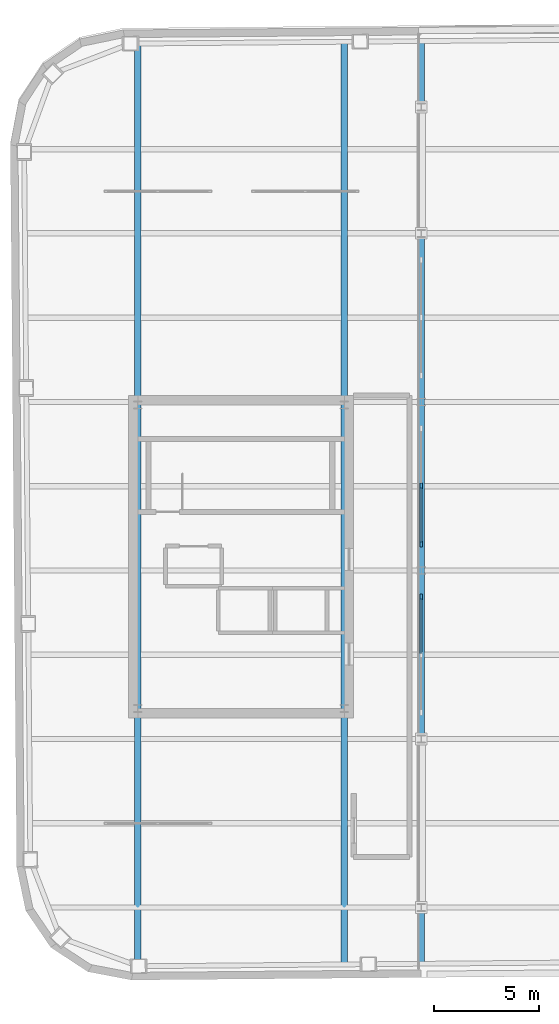
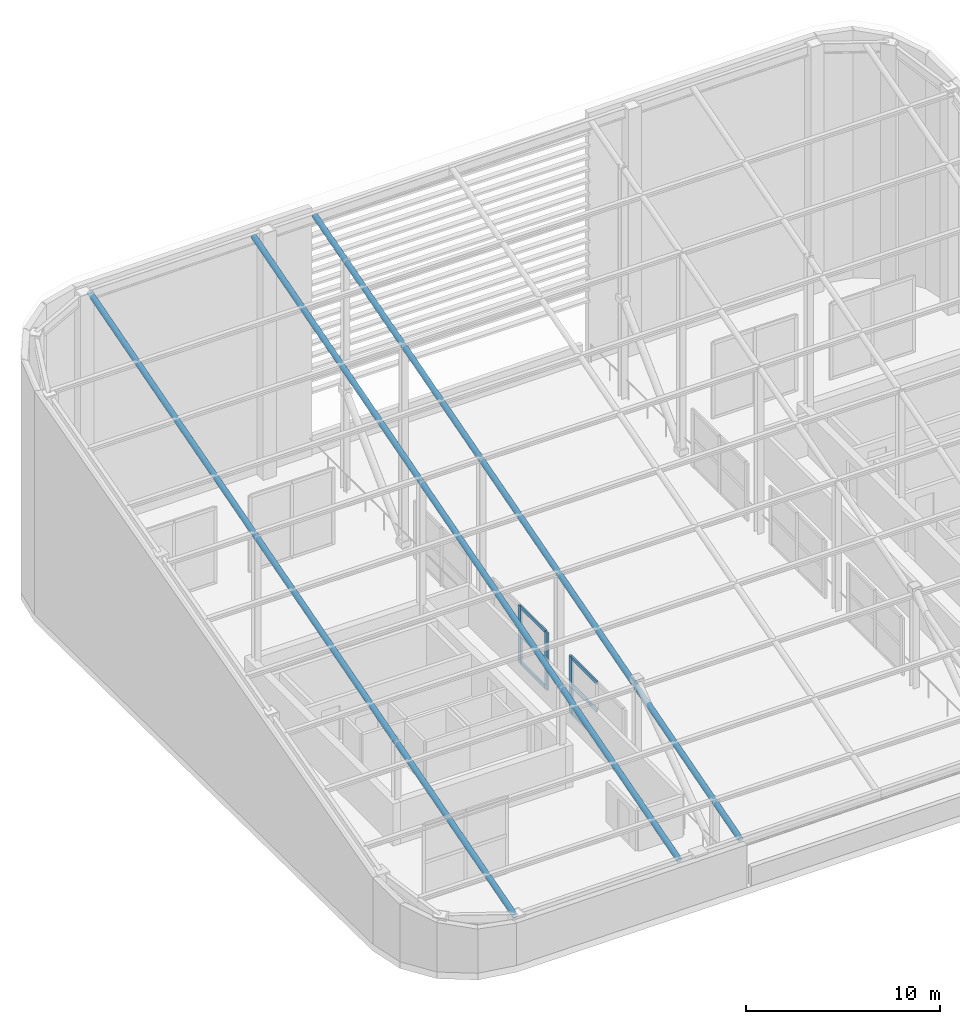
# One storey, part 7 of 17: 12 members, 2 elements without a shape of their own.
"""IFC4 building model written with IfcOpenShell, lengths in metres."""

from ifc_helpers import new_model, si_unit, direction, frame, origin, origin_2d, place, context, subcontext, project, spatial, rectangle, hollow_circle, extrude, material, material_profile, profile_set, type_object, element, aggregate, save


model = new_model("IFC4")

# Units and contexts
model_context = context("Model", 3, precision=1e-05, world=origin(), true_north=direction((0.0, 1.0)))
body_context = subcontext(model_context, "Body", "Model", "MODEL_VIEW")
ifc_project = project(units=[si_unit("LENGTHUNIT", "METRE"), si_unit("AREAUNIT", "SQUARE_METRE"), si_unit("VOLUMEUNIT", "CUBIC_METRE"), si_unit("PLANEANGLEUNIT", "RADIAN"), si_unit("MASSUNIT", "GRAM", prefix="KILO")], contexts=[model_context])

# Site, building, storey
site_placement = place(None, origin())
site = spatial("IfcSite", under=ifc_project, at=site_placement, CompositionType="ELEMENT")
building_placement = place(site_placement, origin())
building = spatial("IfcBuilding", under=site, at=building_placement, Name="Kolvaren Arena Tower", CompositionType="ELEMENT")
storey_placement = place(building_placement, frame((0.0, 0.0, 322.0)))
storey = spatial("IfcBuildingStorey", under=building, at=storey_placement, Name="Roof Crown", CompositionType="ELEMENT", Elevation=322.0)

# Members
ifc_material_1 = material(Name="Steel CSA G40.21 350WT", Category="steel")
ifc_material_profile_1 = material_profile(ifc_material_1, hollow_circle(Radius=0.162109375, WallThickness=0.01611328125, at=origin_2d()), Name="CHS 324x16")
ifc_profile_set_1 = profile_set([ifc_material_profile_1], Name="Steel CSA G40.21 350WT")
member_type_1 = type_object("IfcMemberType", Name="CR-BRACE1", PredefinedType="RAFTER", material=ifc_profile_set_1)
member_1_placement = place(storey_placement, frame((14.550048828125, 7.225830078125, 2.6171875), z_axis=(0.0, 0.960879215018, 0.276967749289), x_axis=(-1.0, 0.0, 0.0)))
element("IfcMember", 1, at=member_1_placement, inside=storey, type_object=member_type_1, Name="Sloped Crown Roof Rafter 01", PredefinedType="RAFTER", context=body_context, shape_type="SweptSolid", body=[
    extrude(hollow_circle(Radius=0.162109375, WallThickness=0.01611328125, at=origin_2d()), origin(), (0.0, 0.0, 1.0), 45.56884765625),
])
member_2_placement = place(storey_placement, frame((24.35009765625, 7.295654296875, 2.63720703125), z_axis=(0.0, 0.960877002341, 0.276975425574), x_axis=(-1.0, 0.0, 0.0)))
element("IfcMember", 2, at=member_2_placement, inside=storey, type_object=member_type_1, Name="Sloped Crown Roof Rafter 02", PredefinedType="RAFTER", context=body_context, shape_type="SweptSolid", body=[
    extrude(hollow_circle(Radius=0.162109375, WallThickness=0.01611328125, at=origin_2d()), origin(), (0.0, 0.0, 1.0), 45.585205078125),
])
member_3_placement = place(storey_placement, frame((28.0, 7.32763671875, 2.646484375), z_axis=(0.0, 0.960878016839, 0.276971906075), x_axis=(-1.0, 0.0, 0.0)))
element("IfcMember", 3, at=member_3_placement, inside=storey, type_object=member_type_1, Name="Sloped Crown Roof Rafter 03", PredefinedType="RAFTER", context=body_context, shape_type="SweptSolid", body=[
    extrude(hollow_circle(Radius=0.162109375, WallThickness=0.01611328125, at=origin_2d()), origin(), (0.0, 0.0, 1.0), 45.5849609375),
])

# Curtain wall, member
ifc_material_2 = material(Name="Anodised aluminium unitised curtain wall", Category="aluminium")
curtain_wall_type = type_object("IfcCurtainWallType", Name="CW-SYS-04", PredefinedType="USERDEFINED", material=ifc_material_2)
curtain_wall_1_placement = place(storey_placement, origin())
curtain_wall_1 = element("IfcCurtainWall", 4, at=curtain_wall_1_placement, inside=storey, type_object=curtain_wall_type, Name="Wind-Portal Throat Acoustic Curtain Screen (Roof Crown)", ObjectType="ACOUSTIC LOUVRE SCREEN", PredefinedType="USERDEFINED")
ifc_material_3 = material(Name="Anodised aluminium 6063-T6", Category="aluminium")
ifc_material_profile_2 = material_profile(ifc_material_3, rectangle(XDim=0.1201171875, YDim=0.280029296875, at=origin_2d()), Name="ALU-120x280")
ifc_profile_set_2 = profile_set([ifc_material_profile_2], Name="Anodised aluminium 6063-T6")
member_type_2 = type_object("IfcMemberType", Name="CWM-PORT", PredefinedType="MULLION", material=ifc_profile_set_2)
member_4_placement = place(storey_placement, frame((28.0, 24.739990234375, 0.0), z_axis=(0.0, 0.0, 1.0), x_axis=(-1.0, 0.0, 0.0)))
member_4 = element("IfcMember", 5, at=member_4_placement, type_object=member_type_2, Name="CW4 mullion 3", PredefinedType="MULLION", context=body_context, shape_type="SweptSolid", body=[
    extrude(rectangle(XDim=0.1201171875, YDim=0.280029296875, at=origin_2d()), origin(), (0.0, 0.0, 1.0), 3.60009765625),
])

# Curtain wall, members
curtain_wall_2_placement = place(storey_placement, origin())
curtain_wall_2 = element("IfcCurtainWall", 6, at=curtain_wall_2_placement, inside=storey, type_object=curtain_wall_type, Name="Wind-Portal Throat Acoustic Curtain Screen (Roof Crown)", ObjectType="ACOUSTIC LOUVRE SCREEN", PredefinedType="USERDEFINED")
member_5_placement = place(storey_placement, frame((28.0, 27.260009765625, 0.0), z_axis=(0.0, 0.0, 1.0), x_axis=(-1.0, 0.0, 0.0)))
member_5 = element("IfcMember", 7, at=member_5_placement, type_object=member_type_2, Name="CW4 mullion 1", PredefinedType="MULLION", context=body_context, shape_type="SweptSolid", body=[
    extrude(rectangle(XDim=0.1201171875, YDim=0.280029296875, at=origin_2d()), origin(), (0.0, 0.0, 1.0), 3.60009765625),
])
member_6_placement = place(storey_placement, frame((28.0, 30.0, 0.0), z_axis=(0.0, 0.0, 1.0), x_axis=(-1.0, 0.0, 0.0)))
member_6 = element("IfcMember", 8, at=member_6_placement, type_object=member_type_2, Name="CW4 mullion 2", PredefinedType="MULLION", context=body_context, shape_type="SweptSolid", body=[
    extrude(rectangle(XDim=0.1201171875, YDim=0.280029296875, at=origin_2d()), origin(), (0.0, 0.0, 1.0), 3.60009765625),
])

# Member
ifc_material_profile_3 = material_profile(ifc_material_3, rectangle(XDim=0.10009765625, YDim=0.199951171875, at=origin_2d()), Name="ALU-100x200")
ifc_profile_set_3 = profile_set([ifc_material_profile_3], Name="Anodised aluminium 6063-T6")
member_type_3 = type_object("IfcMemberType", Name="CWT-HVY", PredefinedType="USERDEFINED", material=ifc_profile_set_3)
member_7_placement = place(storey_placement, frame((28.0, 22.06005859375, 0.050048828125), z_axis=(0.0, 1.0, 0.0), x_axis=(-1.0, 0.0, 0.0)))
member_7 = element("IfcMember", 9, at=member_7_placement, type_object=member_type_3, Name="CW4 transom 2.1", ObjectType="TRANSOM", PredefinedType="USERDEFINED", context=body_context, shape_type="SweptSolid", body=[
    extrude(rectangle(XDim=0.10009765625, YDim=0.199951171875, at=origin_2d()), origin(), (0.0, 0.0, 1.0), 2.619873046875),
])

member_8_placement = place(storey_placement, frame((28.0, 22.06005859375, 1.800048828125), z_axis=(0.0, 1.0, 0.0), x_axis=(-1.0, 0.0, 0.0)))
member_8 = element("IfcMember", 10, at=member_8_placement, type_object=member_type_3, Name="CW4 transom 2.2", ObjectType="TRANSOM", PredefinedType="USERDEFINED", context=body_context, shape_type="SweptSolid", body=[
    extrude(rectangle(XDim=0.10009765625, YDim=0.199951171875, at=origin_2d()), origin(), (0.0, 0.0, 1.0), 2.619873046875),
])

member_9_placement = place(storey_placement, frame((28.0, 22.06005859375, 3.550048828125), z_axis=(0.0, 1.0, 0.0), x_axis=(-1.0, 0.0, 0.0)))
member_9 = element("IfcMember", 11, at=member_9_placement, type_object=member_type_3, Name="CW4 transom 2.3", ObjectType="TRANSOM", PredefinedType="USERDEFINED", context=body_context, shape_type="SweptSolid", body=[
    extrude(rectangle(XDim=0.10009765625, YDim=0.199951171875, at=origin_2d()), origin(), (0.0, 0.0, 1.0), 2.619873046875),
])

aggregate(curtain_wall_1, [member_4, member_7, member_8, member_9])

member_10_placement = place(storey_placement, frame((28.0, 27.320068359375, 0.050048828125), z_axis=(0.0, 1.0, 0.0), x_axis=(-1.0, 0.0, 0.0)))
member_10 = element("IfcMember", 12, at=member_10_placement, type_object=member_type_3, Name="CW4 transom 1.1", ObjectType="TRANSOM", PredefinedType="USERDEFINED", context=body_context, shape_type="SweptSolid", body=[
    extrude(rectangle(XDim=0.10009765625, YDim=0.199951171875, at=origin_2d()), origin(), (0.0, 0.0, 1.0), 2.619873046875),
])

member_11_placement = place(storey_placement, frame((28.0, 27.320068359375, 1.800048828125), z_axis=(0.0, 1.0, 0.0), x_axis=(-1.0, 0.0, 0.0)))
member_11 = element("IfcMember", 13, at=member_11_placement, type_object=member_type_3, Name="CW4 transom 1.2", ObjectType="TRANSOM", PredefinedType="USERDEFINED", context=body_context, shape_type="SweptSolid", body=[
    extrude(rectangle(XDim=0.10009765625, YDim=0.199951171875, at=origin_2d()), origin(), (0.0, 0.0, 1.0), 2.619873046875),
])

member_12_placement = place(storey_placement, frame((28.0, 27.320068359375, 3.550048828125), z_axis=(0.0, 1.0, 0.0), x_axis=(-1.0, 0.0, 0.0)))
member_12 = element("IfcMember", 14, at=member_12_placement, type_object=member_type_3, Name="CW4 transom 1.3", ObjectType="TRANSOM", PredefinedType="USERDEFINED", context=body_context, shape_type="SweptSolid", body=[
    extrude(rectangle(XDim=0.10009765625, YDim=0.199951171875, at=origin_2d()), origin(), (0.0, 0.0, 1.0), 2.619873046875),
])

aggregate(curtain_wall_2, [member_5, member_6, member_10, member_11, member_12])

save(model, "model.ifc")
